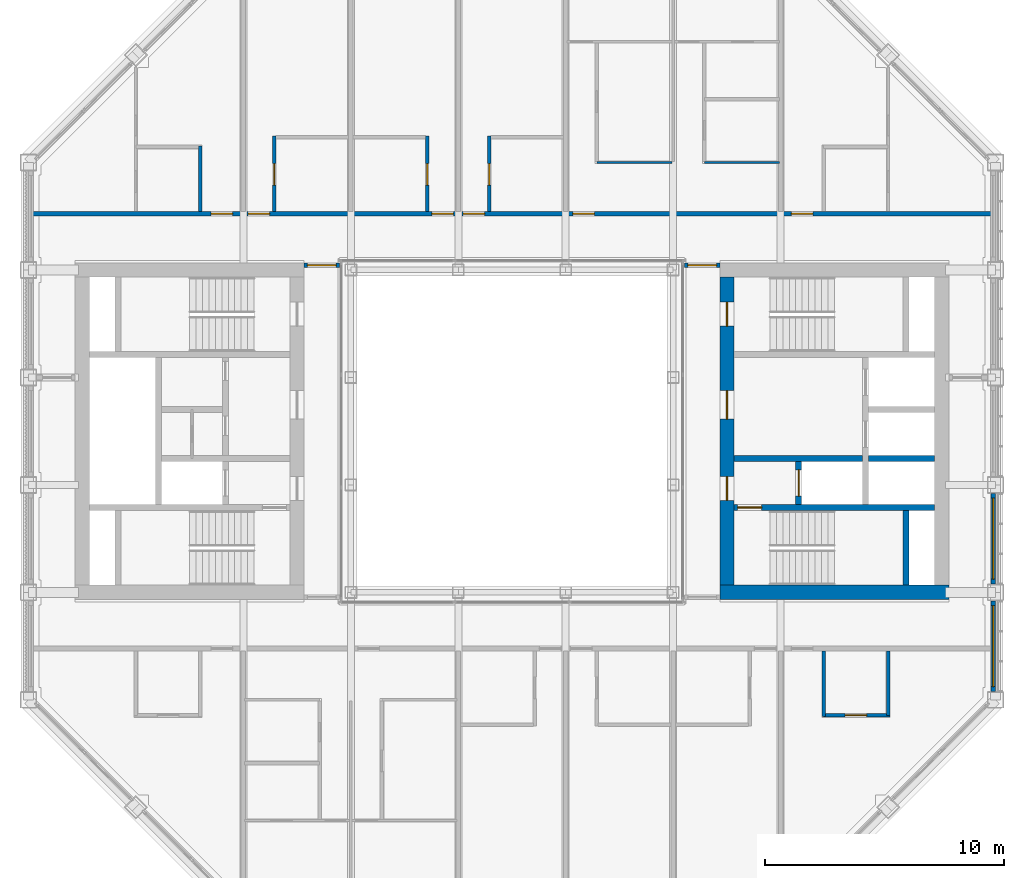
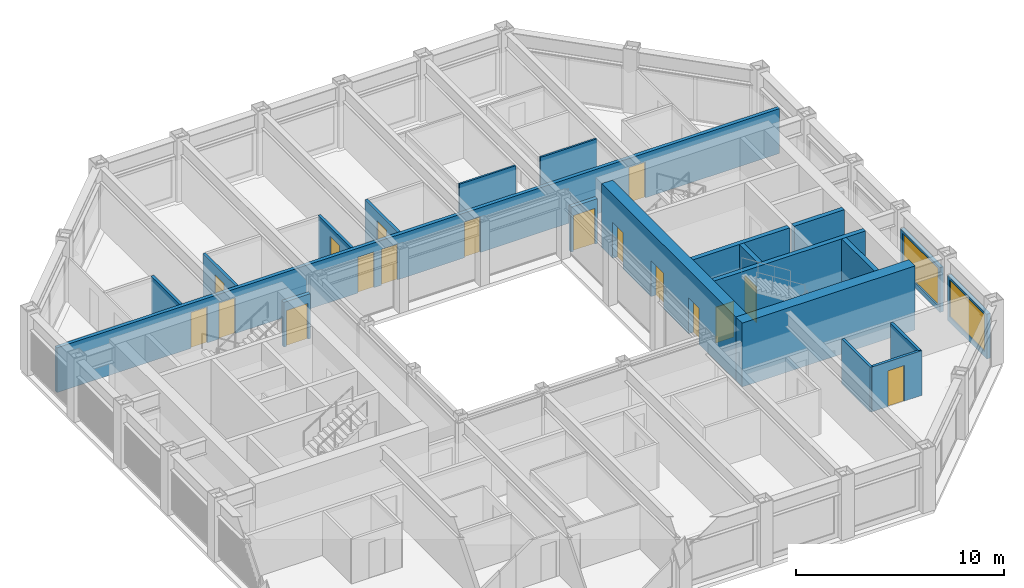
# One storey, part 11 of 18: 21 walls, 17 doors, 2 windows, 19 openings.
"""IFC4 building model written with IfcOpenShell, lengths in metres."""

from ifc_helpers import new_model, si_unit, direction, frame, frame_2d, origin, place, context, subcontext, project, spatial, rectangle, extrude, material, layer, layer_set, type_object, element, fill, save


model = new_model("IFC4")

# Units and contexts
model_context = context("Model", 3, precision=1e-05, world=origin(), true_north=direction((0.0, 1.0)))
body_context = subcontext(model_context, "Body", "Model", "MODEL_VIEW")
ifc_project = project(units=[si_unit("LENGTHUNIT", "METRE"), si_unit("AREAUNIT", "SQUARE_METRE"), si_unit("VOLUMEUNIT", "CUBIC_METRE"), si_unit("PLANEANGLEUNIT", "RADIAN"), si_unit("MASSUNIT", "GRAM", prefix="KILO")], contexts=[model_context])

# Site, building, storey
site_placement = place(None, origin())
site = spatial("IfcSite", under=ifc_project, at=site_placement, CompositionType="ELEMENT")
building_placement = place(site_placement, origin())
building = spatial("IfcBuilding", under=site, at=building_placement, Name="Msasa Ring Tower", CompositionType="ELEMENT")
storey_placement = place(building_placement, frame((0.0, 0.0, 223.300048828125)))
storey = spatial("IfcBuildingStorey", under=building, at=storey_placement, Name="L58", CompositionType="ELEMENT", Elevation=223.300048828125)

# Wall
ifc_material_1 = material(Name="Concrete C60/75", Category="concrete")
ifc_layer_1 = layer(ifc_material_1, 0.60009765625)
ifc_layer_set_1 = layer_set([ifc_layer_1], Name="CW3 CORE WALL 600")
wall_type_1 = type_object("IfcWallType", Name="CW3 CORE WALL 600", PredefinedType="SHEAR", material=ifc_layer_set_1)
wall_1_placement = place(storey_placement, frame((8.699951171875, -6.75, 0.0), z_axis=(0.0, 0.0, 1.0), x_axis=(1.0, 0.0, 0.0)))
element("IfcWall", 1, at=wall_1_placement, inside=storey, type_object=wall_type_1, Name="E core wall S L58", PredefinedType="SHEAR", context=body_context, shape_type="SweptSolid", body=[
    extrude(rectangle(XDim=9.60009765625, YDim=0.60009765625, at=frame_2d((4.800048828125, 0.0))), origin(), (0.0, 0.0, 1.0), 3.75),
])

# Wall, openings, doors
wall_2_placement = place(storey_placement, frame((9.0, -6.449951171875, 0.0), z_axis=(0.0, 0.0, 1.0), x_axis=(0.0, 1.0, 0.0)))
wall_2 = element("IfcWall", 2, at=wall_2_placement, inside=storey, type_object=wall_type_1, Name="E core wall W L58", PredefinedType="SHEAR", context=body_context, shape_type="SweptSolid", body=[
    extrude(rectangle(XDim=12.89990234375, YDim=0.60009765625, at=frame_2d((6.449951171875, 0.0))), origin(), (0.0, 0.0, 1.0), 3.75),
])
opening_1_placement = place(wall_2_placement, frame((3.550048828125, 0.0, 0.0)))
opening_1 = element("IfcOpeningElement", 3, at=opening_1_placement, cuts=wall_2, Name="Opening SC-031", PredefinedType="OPENING", context=body_context, shape_type="SweptSolid", body=[
    extrude(rectangle(XDim=1.0, YDim=2.10009765625, at=frame_2d((0.5, 1.050048828125))), frame((0.0, 0.31005859375, 0.0), z_axis=(0.0, -1.0, 0.0), x_axis=(1.0, 0.0, 0.0)), (0.0, 0.0, 1.0), 0.6201171875),
])
opening_2_placement = place(wall_2_placement, frame((6.949951171875, 0.0, 0.0)))
opening_2 = element("IfcOpeningElement", 4, at=opening_2_placement, cuts=wall_2, Name="Opening SC-027", PredefinedType="OPENING", context=body_context, shape_type="SweptSolid", body=[
    extrude(rectangle(XDim=1.199951171875, YDim=2.10009765625, at=frame_2d((0.60009765625, 1.050048828125))), frame((0.0, 0.31005859375, 0.0), z_axis=(0.0, -1.0, 0.0), x_axis=(1.0, 0.0, 0.0)), (0.0, 0.0, 1.0), 0.6201171875),
])
opening_3_placement = place(wall_2_placement, frame((10.85009765625, 0.0, 0.0)))
opening_3 = element("IfcOpeningElement", 5, at=opening_3_placement, cuts=wall_2, Name="Opening SC-022", PredefinedType="OPENING", context=body_context, shape_type="SweptSolid", body=[
    extrude(rectangle(XDim=1.0, YDim=2.10009765625, at=frame_2d((0.5, 1.050048828125))), frame((0.0, 0.31005859375, 0.0), z_axis=(0.0, -1.0, 0.0), x_axis=(1.0, 0.0, 0.0)), (0.0, 0.0, 1.0), 0.6201171875),
])
ifc_material_2 = material(Name="Timber door leaf in a steel frame", Category="steel")
door_type_1 = type_object("IfcDoorType", Name="D4 LOBBY DOOR 1000x2100", OperationType="SINGLE_SWING_LEFT", PredefinedType="DOOR", material=ifc_material_2)
door_1_placement = place(opening_1_placement, origin())
door_1 = element("IfcDoor", 6, at=door_1_placement, inside=storey, type_object=door_type_1, Name="Door L58-EFFL", OperationType="SINGLE_SWING_LEFT", OverallHeight=2.10009765625, OverallWidth=1.0, PredefinedType="DOOR", context=body_context, shape_type="SweptSolid", body=[
    extrude(rectangle(XDim=1.0, YDim=2.10009765625, at=frame_2d((0.5, 1.050048828125))), frame((0.0, 0.02490234375, 0.0), z_axis=(0.0, -1.0, 0.0), x_axis=(1.0, 0.0, 0.0)), (0.0, 0.0, 1.0), 0.050048828125),
])
fill(opening_1, door_1)
ifc_material_3 = material(Name="Timber door leaf in a steel frame", Category="steel")
door_type_2 = type_object("IfcDoorType", Name="D5 WIDE LOBBY DOOR 1200x2100", OperationType="SINGLE_SWING_LEFT", PredefinedType="DOOR", material=ifc_material_3)
door_2_placement = place(opening_2_placement, origin())
door_2 = element("IfcDoor", 7, at=door_2_placement, inside=storey, type_object=door_type_2, Name="Door L58-ELL", OperationType="SINGLE_SWING_RIGHT", OverallHeight=2.10009765625, OverallWidth=1.199951171875, PredefinedType="DOOR", context=body_context, shape_type="SweptSolid", body=[
    extrude(rectangle(XDim=1.199951171875, YDim=2.10009765625, at=frame_2d((0.60009765625, 1.050048828125))), frame((0.0, 0.02490234375, 0.0), z_axis=(0.0, -1.0, 0.0), x_axis=(1.0, 0.0, 0.0)), (0.0, 0.0, 1.0), 0.050048828125),
])
fill(opening_2, door_2)
ifc_material_4 = material(Name="Timber door leaf in a steel frame", Category="steel")
door_type_3 = type_object("IfcDoorType", Name="D6 STAIR DOOR 1000x2100", OperationType="SINGLE_SWING_LEFT", PredefinedType="DOOR", material=ifc_material_4)
door_3_placement = place(opening_3_placement, origin())
door_3 = element("IfcDoor", 8, at=door_3_placement, inside=storey, type_object=door_type_3, Name="Door L58-ESTB", OperationType="SINGLE_SWING_RIGHT", OverallHeight=2.10009765625, OverallWidth=1.0, PredefinedType="DOOR", context=body_context, shape_type="SweptSolid", body=[
    extrude(rectangle(XDim=1.0, YDim=2.10009765625, at=frame_2d((0.5, 1.050048828125))), frame((0.0, 0.02490234375, 0.0), z_axis=(0.0, -1.0, 0.0), x_axis=(1.0, 0.0, 0.0)), (0.0, 0.0, 1.0), 0.050048828125),
])
fill(opening_3, door_3)

# Wall, opening, door
ifc_material_5 = material(Name="Concrete C60/75", Category="concrete")
ifc_layer_2 = layer(ifc_material_5, 0.25)
ifc_layer_set_2 = layer_set([ifc_layer_2], Name="CW4 CORE INNER WALL 250")
wall_type_2 = type_object("IfcWallType", Name="CW4 CORE INNER WALL 250", PredefinedType="SHEAR", material=ifc_layer_set_2)
wall_3_placement = place(storey_placement, frame((9.300048828125, -3.199951171875, 0.0), z_axis=(0.0, 0.0, 1.0), x_axis=(1.0, 0.0, 0.0)))
wall_3 = element("IfcWall", 9, at=wall_3_placement, inside=storey, type_object=wall_type_2, Name="E core wall STAIRA L58", PredefinedType="SHEAR", context=body_context, shape_type="SweptSolid", body=[
    extrude(rectangle(XDim=8.39990234375, YDim=0.25, at=frame_2d((4.199951171875, 0.0))), origin(), (0.0, 0.0, 1.0), 3.75),
])
opening_4_placement = place(wall_3_placement, frame((0.14990234375, 0.0, 0.0)))
opening_4 = element("IfcOpeningElement", 10, at=opening_4_placement, cuts=wall_3, Name="Opening SC-033", PredefinedType="OPENING", context=body_context, shape_type="SweptSolid", body=[
    extrude(rectangle(XDim=1.0, YDim=2.10009765625, at=frame_2d((0.5, 1.050048828125))), frame((0.0, 0.135009765625, 0.0), z_axis=(0.0, -1.0, 0.0), x_axis=(1.0, 0.0, 0.0)), (0.0, 0.0, 1.0), 0.27001953125),
])
door_4_placement = place(opening_4_placement, origin())
door_4 = element("IfcDoor", 11, at=door_4_placement, inside=storey, type_object=door_type_3, Name="Door L58-ESTA", OperationType="SINGLE_SWING_LEFT", OverallHeight=2.10009765625, OverallWidth=1.0, PredefinedType="DOOR", context=body_context, shape_type="SweptSolid", body=[
    extrude(rectangle(XDim=1.0, YDim=2.10009765625, at=frame_2d((0.5, 1.050048828125))), frame((0.0, 0.02490234375, 0.0), z_axis=(0.0, -1.0, 0.0), x_axis=(1.0, 0.0, 0.0)), (0.0, 0.0, 1.0), 0.050048828125),
])
fill(opening_4, door_4)

# Walls
wall_4_placement = place(storey_placement, frame((16.5, -6.449951171875, 0.0), z_axis=(0.0, 0.0, 1.0), x_axis=(0.0, 1.0, 0.0)))
element("IfcWall", 12, at=wall_4_placement, inside=storey, type_object=wall_type_2, Name="E core wall RISERA L58", PredefinedType="SHEAR", context=body_context, shape_type="SweptSolid", body=[
    extrude(rectangle(XDim=3.125, YDim=0.25, at=frame_2d((1.5625, 0.0))), origin(), (0.0, 0.0, 1.0), 3.75),
])
wall_5_placement = place(storey_placement, frame((9.300048828125, -1.14990234375, 0.0), z_axis=(0.0, 0.0, 1.0), x_axis=(1.0, 0.0, 0.0)))
element("IfcWall", 13, at=wall_5_placement, inside=storey, type_object=wall_type_2, Name="E core wall FFL L58", PredefinedType="SHEAR", context=body_context, shape_type="SweptSolid", body=[
    extrude(rectangle(XDim=5.375, YDim=0.25, at=frame_2d((2.6875, 0.0))), origin(), (0.0, 0.0, 1.0), 3.75),
])

# Wall, opening, door
wall_6_placement = place(storey_placement, frame((12.0, -3.074951171875, 0.0), z_axis=(0.0, 0.0, 1.0), x_axis=(0.0, 1.0, 0.0)))
wall_6 = element("IfcWall", 14, at=wall_6_placement, inside=storey, type_object=wall_type_2, Name="E core wall LOBBY L58", PredefinedType="SHEAR", context=body_context, shape_type="SweptSolid", body=[
    extrude(rectangle(XDim=1.800048828125, YDim=0.25, at=frame_2d((0.89990234375, 0.0))), origin(), (0.0, 0.0, 1.0), 3.75),
])
opening_5_placement = place(wall_6_placement, frame((0.35009765625, 0.0, 0.0)))
opening_5 = element("IfcOpeningElement", 15, at=opening_5_placement, cuts=wall_6, Name="Opening LD1", PredefinedType="OPENING", context=body_context, shape_type="SweptSolid", body=[
    extrude(rectangle(XDim=1.10009765625, YDim=2.10009765625, at=frame_2d((0.550048828125, 1.050048828125))), frame((0.0, 0.135009765625, 0.0), z_axis=(0.0, -1.0, 0.0), x_axis=(1.0, 0.0, 0.0)), (0.0, 0.0, 1.0), 0.27001953125),
])
ifc_material_6 = material(Name="Stainless steel lift landing door", Category="steel")
door_type_4 = type_object("IfcDoorType", Name="LD1 LIFT LANDING DOOR 1100x2100", OperationType="DOUBLE_DOOR_SLIDING", PredefinedType="DOOR", material=ifc_material_6)
door_5_placement = place(opening_5_placement, origin())
door_5 = element("IfcDoor", 16, at=door_5_placement, inside=storey, type_object=door_type_4, Name="Lift landing door FL-E L58", OperationType="DOUBLE_DOOR_SLIDING", OverallHeight=2.10009765625, OverallWidth=1.10009765625, PredefinedType="DOOR", context=body_context, shape_type="SweptSolid", body=[
    extrude(rectangle(XDim=1.10009765625, YDim=2.10009765625, at=frame_2d((0.550048828125, 1.050048828125))), frame((0.0, 0.02490234375, 0.0), z_axis=(0.0, -1.0, 0.0), x_axis=(1.0, 0.0, 0.0)), (0.0, 0.0, 1.0), 0.050048828125),
])
fill(opening_5, door_5)

# Wall
wall_7_placement = place(storey_placement, frame((14.925048828125, -1.14990234375, 0.0), z_axis=(0.0, 0.0, 1.0), x_axis=(1.0, 0.0, 0.0)))
element("IfcWall", 17, at=wall_7_placement, inside=storey, type_object=wall_type_2, Name="E core wall HSEP L58", PredefinedType="SHEAR", context=body_context, shape_type="SweptSolid", body=[
    extrude(rectangle(XDim=2.77490234375, YDim=0.25, at=frame_2d((1.387451171875, 0.0))), origin(), (0.0, 0.0, 1.0), 3.75),
])

# Wall, opening, window
ifc_material_7 = material(Name="Terracotta rainscreen on blockwork", Category="masonry")
ifc_layer_3 = layer(ifc_material_7, 0.199951171875)
ifc_layer_set_3 = layer_set([ifc_layer_3], Name="FW1 TERRACOTTA-LINED INFILL BAY WALL 200")
wall_type_3 = type_object("IfcWallType", Name="FW1 TERRACOTTA-LINED INFILL BAY WALL 200", PredefinedType="SOLIDWALL", material=ifc_layer_set_3)
wall_8_placement = place(storey_placement, frame((20.14990234375, -10.89501953125, 0.0), z_axis=(0.0, 0.0, 1.0), x_axis=(0.0, 1.0, 0.0)))
wall_8 = element("IfcWall", 18, at=wall_8_placement, inside=storey, type_object=wall_type_3, Name="Infill bay wall E L58 07", PredefinedType="SOLIDWALL", context=body_context, shape_type="SweptSolid", body=[
    extrude(rectangle(XDim=3.7900390625, YDim=0.199951171875, at=frame_2d((1.89501953125, 0.0))), origin(), (0.0, 0.0, 1.0), 2.62890625),
])
opening_6_placement = place(wall_8_placement, frame((0.195068359375, 0.0, 0.300048828125)))
opening_6 = element("IfcOpeningElement", 19, at=opening_6_placement, cuts=wall_8, Name="Opening WN3", PredefinedType="OPENING", context=body_context, shape_type="SweptSolid", body=[
    extrude(rectangle(XDim=3.39990234375, YDim=2.178955078125, at=frame_2d((1.699951171875, 1.08935546875))), frame((0.0, 0.10986328125, 0.0), z_axis=(0.0, -1.0, 0.0), x_axis=(1.0, 0.0, 0.0)), (0.0, 0.0, 1.0), 0.219970703125),
])
ifc_material_8 = material(Name="Aluminium frame with clear glass", Category="aluminium")
window_type = type_object("IfcWindowType", Name="WN3 SUITE WINDOW 3400x2179", PartitioningType="SINGLE_PANEL", PredefinedType="WINDOW", material=ifc_material_8)
window_1_placement = place(opening_6_placement, origin())
window_1 = element("IfcWindow", 20, at=window_1_placement, inside=storey, type_object=window_type, Name="Window E L58 07", OverallHeight=2.178955078125, OverallWidth=3.39990234375, PartitioningType="SINGLE_PANEL", PredefinedType="WINDOW", context=body_context, shape_type="SweptSolid", body=[
    extrude(rectangle(XDim=3.39990234375, YDim=2.178955078125, at=frame_2d((1.699951171875, 1.08935546875))), frame((0.0, 0.030029296875, 0.0), z_axis=(0.0, -1.0, 0.0), x_axis=(1.0, 0.0, 0.0)), (0.0, 0.0, 1.0), 0.06005859375),
])
fill(opening_6, window_1)

wall_9_placement = place(storey_placement, frame((20.14990234375, -6.39501953125, 0.0), z_axis=(0.0, 0.0, 1.0), x_axis=(0.0, 1.0, 0.0)))
wall_9 = element("IfcWall", 21, at=wall_9_placement, inside=storey, type_object=wall_type_3, Name="Infill bay wall E L58 08", PredefinedType="SOLIDWALL", context=body_context, shape_type="SweptSolid", body=[
    extrude(rectangle(XDim=3.7900390625, YDim=0.199951171875, at=frame_2d((1.89501953125, 0.0))), origin(), (0.0, 0.0, 1.0), 2.62890625),
])
opening_7_placement = place(wall_9_placement, frame((0.195068359375, 0.0, 0.300048828125)))
opening_7 = element("IfcOpeningElement", 22, at=opening_7_placement, cuts=wall_9, Name="Opening WN3", PredefinedType="OPENING", context=body_context, shape_type="SweptSolid", body=[
    extrude(rectangle(XDim=3.39990234375, YDim=2.178955078125, at=frame_2d((1.699951171875, 1.08935546875))), frame((0.0, 0.10986328125, 0.0), z_axis=(0.0, -1.0, 0.0), x_axis=(1.0, 0.0, 0.0)), (0.0, 0.0, 1.0), 0.219970703125),
])
window_2_placement = place(opening_7_placement, origin())
window_2 = element("IfcWindow", 23, at=window_2_placement, inside=storey, type_object=window_type, Name="Window E L58 08", OverallHeight=2.178955078125, OverallWidth=3.39990234375, PartitioningType="SINGLE_PANEL", PredefinedType="WINDOW", context=body_context, shape_type="SweptSolid", body=[
    extrude(rectangle(XDim=3.39990234375, YDim=2.178955078125, at=frame_2d((1.699951171875, 1.08935546875))), frame((0.0, 0.030029296875, 0.0), z_axis=(0.0, -1.0, 0.0), x_axis=(1.0, 0.0, 0.0)), (0.0, 0.0, 1.0), 0.06005859375),
])
fill(opening_7, window_2)

# Wall, opening, door
ifc_material_9 = material(Name="Concrete blockwork", Category="masonry")
ifc_layer_4 = layer(ifc_material_9, 0.199951171875)
ifc_layer_set_4 = layer_set([ifc_layer_4], Name="PT1 CORRIDOR WALL 200")
wall_type_4 = type_object("IfcWallType", Name="PT1 CORRIDOR WALL 200", PredefinedType="PARTITIONING", material=ifc_layer_set_4)
wall_10_placement = place(storey_placement, frame((7.22998046875, 6.949951171875, 0.0), z_axis=(0.0, 0.0, 1.0), x_axis=(1.0, 0.0, 0.0)))
wall_10 = element("IfcWall", 24, at=wall_10_placement, inside=storey, type_object=wall_type_4, Name="Corridor wall L58-SDEN", PredefinedType="PARTITIONING", context=body_context, shape_type="SweptSolid", body=[
    extrude(rectangle(XDim=1.469970703125, YDim=0.199951171875, at=frame_2d((0.73486328125, 0.0))), origin(), (0.0, 0.0, 1.0), 2.62890625),
])
opening_8_placement = place(wall_10_placement, frame((0.135009765625, 0.0, 0.0)))
opening_8 = element("IfcOpeningElement", 25, at=opening_8_placement, cuts=wall_10, Name="Opening SC-020", PredefinedType="OPENING", context=body_context, shape_type="SweptSolid", body=[
    extrude(rectangle(XDim=1.199951171875, YDim=2.10009765625, at=frame_2d((0.60009765625, 1.050048828125))), frame((0.0, 0.10986328125, 0.0), z_axis=(0.0, -1.0, 0.0), x_axis=(1.0, 0.0, 0.0)), (0.0, 0.0, 1.0), 0.219970703125),
])
ifc_material_10 = material(Name="Timber door leaf in a steel frame", Category="steel")
door_type_5 = type_object("IfcDoorType", Name="D25 CORRIDOR PAIR OF SMOKE DOORS 1200x2100", OperationType="DOUBLE_DOOR_DOUBLE_SWING", PredefinedType="DOOR", material=ifc_material_10)
door_6_placement = place(opening_8_placement, origin())
door_6 = element("IfcDoor", 26, at=door_6_placement, inside=storey, type_object=door_type_5, Name="Door L58-SDEN", OperationType="DOUBLE_DOOR_DOUBLE_SWING", OverallHeight=2.10009765625, OverallWidth=1.199951171875, PredefinedType="DOOR", context=body_context, shape_type="SweptSolid", body=[
    extrude(rectangle(XDim=1.199951171875, YDim=2.10009765625, at=frame_2d((0.60009765625, 1.050048828125))), frame((0.0, 0.02490234375, 0.0), z_axis=(0.0, -1.0, 0.0), x_axis=(1.0, 0.0, 0.0)), (0.0, 0.0, 1.0), 0.050048828125),
])
fill(opening_8, door_6)

wall_11_placement = place(storey_placement, frame((-8.699951171875, 6.949951171875, 0.0), z_axis=(0.0, 0.0, 1.0), x_axis=(1.0, 0.0, 0.0)))
wall_11 = element("IfcWall", 27, at=wall_11_placement, inside=storey, type_object=wall_type_4, Name="Corridor wall L58-SDWN", PredefinedType="PARTITIONING", context=body_context, shape_type="SweptSolid", body=[
    extrude(rectangle(XDim=1.469970703125, YDim=0.199951171875, at=frame_2d((0.73486328125, 0.0))), origin(), (0.0, 0.0, 1.0), 2.62890625),
])
opening_9_placement = place(wall_11_placement, frame((0.135009765625, 0.0, 0.0)))
opening_9 = element("IfcOpeningElement", 28, at=opening_9_placement, cuts=wall_11, Name="Opening SC-019", PredefinedType="OPENING", context=body_context, shape_type="SweptSolid", body=[
    extrude(rectangle(XDim=1.199951171875, YDim=2.10009765625, at=frame_2d((0.60009765625, 1.050048828125))), frame((0.0, 0.10986328125, 0.0), z_axis=(0.0, -1.0, 0.0), x_axis=(1.0, 0.0, 0.0)), (0.0, 0.0, 1.0), 0.219970703125),
])
door_7_placement = place(opening_9_placement, origin())
door_7 = element("IfcDoor", 29, at=door_7_placement, inside=storey, type_object=door_type_5, Name="Door L58-SDWN", OperationType="DOUBLE_DOOR_DOUBLE_SWING", OverallHeight=2.10009765625, OverallWidth=1.199951171875, PredefinedType="DOOR", context=body_context, shape_type="SweptSolid", body=[
    extrude(rectangle(XDim=1.199951171875, YDim=2.10009765625, at=frame_2d((0.60009765625, 1.050048828125))), frame((0.0, 0.02490234375, 0.0), z_axis=(0.0, -1.0, 0.0), x_axis=(1.0, 0.0, 0.0)), (0.0, 0.0, 1.0), 0.050048828125),
])
fill(opening_9, door_7)

# Wall, openings, doors
wall_12_placement = place(storey_placement, frame((-20.050048828125, 9.10009765625, 0.0), z_axis=(0.0, 0.0, 1.0), x_axis=(1.0, 0.0, 0.0)))
wall_12 = element("IfcWall", 30, at=wall_12_placement, inside=storey, type_object=wall_type_4, Name="Corridor wall L58-CORRN0", PredefinedType="PARTITIONING", context=body_context, shape_type="SweptSolid", body=[
    extrude(rectangle(XDim=40.10009765625, YDim=0.199951171875, at=frame_2d((20.050048828125, 0.0))), origin(), (0.0, 0.0, 1.0), 2.62890625),
])
opening_10_placement = place(wall_12_placement, frame((9.0, 0.0, 0.0)))
opening_10 = element("IfcOpeningElement", 31, at=opening_10_placement, cuts=wall_12, Name="Opening SC-014", PredefinedType="OPENING", context=body_context, shape_type="SweptSolid", body=[
    extrude(rectangle(XDim=0.89990234375, YDim=2.10009765625, at=frame_2d((0.449951171875, 1.050048828125))), frame((0.0, 0.10986328125, 0.0), z_axis=(0.0, -1.0, 0.0), x_axis=(1.0, 0.0, 0.0)), (0.0, 0.0, 1.0), 0.219970703125),
])
opening_11_placement = place(wall_12_placement, frame((16.699951171875, 0.0, 0.0)))
opening_11 = element("IfcOpeningElement", 32, at=opening_11_placement, cuts=wall_12, Name="Opening SC-015", PredefinedType="OPENING", context=body_context, shape_type="SweptSolid", body=[
    extrude(rectangle(XDim=0.89990234375, YDim=2.10009765625, at=frame_2d((0.449951171875, 1.050048828125))), frame((0.0, 0.10986328125, 0.0), z_axis=(0.0, -1.0, 0.0), x_axis=(1.0, 0.0, 0.0)), (0.0, 0.0, 1.0), 0.219970703125),
])
opening_12_placement = place(wall_12_placement, frame((18.0, 0.0, 0.0)))
opening_12 = element("IfcOpeningElement", 33, at=opening_12_placement, cuts=wall_12, Name="Opening SC-016", PredefinedType="OPENING", context=body_context, shape_type="SweptSolid", body=[
    extrude(rectangle(XDim=0.89990234375, YDim=2.10009765625, at=frame_2d((0.449951171875, 1.050048828125))), frame((0.0, 0.10986328125, 0.0), z_axis=(0.0, -1.0, 0.0), x_axis=(1.0, 0.0, 0.0)), (0.0, 0.0, 1.0), 0.219970703125),
])
opening_13_placement = place(wall_12_placement, frame((22.60009765625, 0.0, 0.0)))
opening_13 = element("IfcOpeningElement", 34, at=opening_13_placement, cuts=wall_12, Name="Opening SC-017", PredefinedType="OPENING", context=body_context, shape_type="SweptSolid", body=[
    extrude(rectangle(XDim=0.89990234375, YDim=2.10009765625, at=frame_2d((0.449951171875, 1.050048828125))), frame((0.0, 0.10986328125, 0.0), z_axis=(0.0, -1.0, 0.0), x_axis=(1.0, 0.0, 0.0)), (0.0, 0.0, 1.0), 0.219970703125),
])
opening_14_placement = place(wall_12_placement, frame((31.75, 0.0, 0.0)))
opening_14 = element("IfcOpeningElement", 35, at=opening_14_placement, cuts=wall_12, Name="Opening SC-018", PredefinedType="OPENING", context=body_context, shape_type="SweptSolid", body=[
    extrude(rectangle(XDim=0.89990234375, YDim=2.10009765625, at=frame_2d((0.449951171875, 1.050048828125))), frame((0.0, 0.10986328125, 0.0), z_axis=(0.0, -1.0, 0.0), x_axis=(1.0, 0.0, 0.0)), (0.0, 0.0, 1.0), 0.219970703125),
])
opening_15_placement = place(wall_12_placement, frame((7.449951171875, 0.0, 0.0)))
opening_15 = element("IfcOpeningElement", 36, at=opening_15_placement, cuts=wall_12, Name="Opening SC-013", PredefinedType="OPENING", context=body_context, shape_type="SweptSolid", body=[
    extrude(rectangle(XDim=0.89990234375, YDim=2.10009765625, at=frame_2d((0.449951171875, 1.050048828125))), frame((0.0, 0.10986328125, 0.0), z_axis=(0.0, -1.0, 0.0), x_axis=(1.0, 0.0, 0.0)), (0.0, 0.0, 1.0), 0.219970703125),
])
ifc_material_11 = material(Name="Timber door leaf in a steel frame", Category="steel")
door_type_6 = type_object("IfcDoorType", Name="D1 SINGLE DOOR TO CORRIDOR 900x2100", OperationType="SINGLE_SWING_LEFT", PredefinedType="DOOR", material=ifc_material_11)
door_8_placement = place(opening_10_placement, origin())
door_8 = element("IfcDoor", 37, at=door_8_placement, inside=storey, type_object=door_type_6, Name="Door L58-JN00", OperationType="SINGLE_SWING_LEFT", OverallHeight=2.10009765625, OverallWidth=0.89990234375, PredefinedType="DOOR", context=body_context, shape_type="SweptSolid", body=[
    extrude(rectangle(XDim=0.89990234375, YDim=2.10009765625, at=frame_2d((0.449951171875, 1.050048828125))), frame((0.0, 0.02490234375, 0.0), z_axis=(0.0, -1.0, 0.0), x_axis=(1.0, 0.0, 0.0)), (0.0, 0.0, 1.0), 0.050048828125),
])
fill(opening_10, door_8)
door_9_placement = place(opening_11_placement, origin())
door_9 = element("IfcDoor", 38, at=door_9_placement, inside=storey, type_object=door_type_6, Name="Door L58-JN01", OperationType="SINGLE_SWING_LEFT", OverallHeight=2.10009765625, OverallWidth=0.89990234375, PredefinedType="DOOR", context=body_context, shape_type="SweptSolid", body=[
    extrude(rectangle(XDim=0.89990234375, YDim=2.10009765625, at=frame_2d((0.449951171875, 1.050048828125))), frame((0.0, 0.02490234375, 0.0), z_axis=(0.0, -1.0, 0.0), x_axis=(1.0, 0.0, 0.0)), (0.0, 0.0, 1.0), 0.050048828125),
])
fill(opening_11, door_9)
door_10_placement = place(opening_12_placement, origin())
door_10 = element("IfcDoor", 39, at=door_10_placement, inside=storey, type_object=door_type_6, Name="Door L58-JN02", OperationType="SINGLE_SWING_LEFT", OverallHeight=2.10009765625, OverallWidth=0.89990234375, PredefinedType="DOOR", context=body_context, shape_type="SweptSolid", body=[
    extrude(rectangle(XDim=0.89990234375, YDim=2.10009765625, at=frame_2d((0.449951171875, 1.050048828125))), frame((0.0, 0.02490234375, 0.0), z_axis=(0.0, -1.0, 0.0), x_axis=(1.0, 0.0, 0.0)), (0.0, 0.0, 1.0), 0.050048828125),
])
fill(opening_12, door_10)
ifc_material_12 = material(Name="Timber door leaf in a steel frame", Category="steel")
door_type_7 = type_object("IfcDoorType", Name="D2 ENTRANCE DOOR 900x2100", OperationType="SINGLE_SWING_LEFT", PredefinedType="DOOR", material=ifc_material_12)
door_11_placement = place(opening_13_placement, origin())
door_11 = element("IfcDoor", 40, at=door_11_placement, inside=storey, type_object=door_type_7, Name="Door L58-JN03", OperationType="SINGLE_SWING_RIGHT", OverallHeight=2.10009765625, OverallWidth=0.89990234375, PredefinedType="DOOR", context=body_context, shape_type="SweptSolid", body=[
    extrude(rectangle(XDim=0.89990234375, YDim=2.10009765625, at=frame_2d((0.449951171875, 1.050048828125))), frame((0.0, 0.02490234375, 0.0), z_axis=(0.0, -1.0, 0.0), x_axis=(1.0, 0.0, 0.0)), (0.0, 0.0, 1.0), 0.050048828125),
])
fill(opening_13, door_11)
door_12_placement = place(opening_14_placement, origin())
door_12 = element("IfcDoor", 41, at=door_12_placement, inside=storey, type_object=door_type_7, Name="Door L58-CSNE", OperationType="SINGLE_SWING_RIGHT", OverallHeight=2.10009765625, OverallWidth=0.89990234375, PredefinedType="DOOR", context=body_context, shape_type="SweptSolid", body=[
    extrude(rectangle(XDim=0.89990234375, YDim=2.10009765625, at=frame_2d((0.449951171875, 1.050048828125))), frame((0.0, 0.02490234375, 0.0), z_axis=(0.0, -1.0, 0.0), x_axis=(1.0, 0.0, 0.0)), (0.0, 0.0, 1.0), 0.050048828125),
])
fill(opening_14, door_12)
door_13_placement = place(opening_15_placement, origin())
door_13 = element("IfcDoor", 42, at=door_13_placement, inside=storey, type_object=door_type_7, Name="Door L58-CSNW", OperationType="SINGLE_SWING_LEFT", OverallHeight=2.10009765625, OverallWidth=0.89990234375, PredefinedType="DOOR", context=body_context, shape_type="SweptSolid", body=[
    extrude(rectangle(XDim=0.89990234375, YDim=2.10009765625, at=frame_2d((0.449951171875, 1.050048828125))), frame((0.0, 0.02490234375, 0.0), z_axis=(0.0, -1.0, 0.0), x_axis=(1.0, 0.0, 0.0)), (0.0, 0.0, 1.0), 0.050048828125),
])
fill(opening_15, door_13)

# Walls
ifc_material_13 = material(Name="Gypsum board on steel studs", Category="steel")
ifc_layer_5 = layer(ifc_material_13, 0.10009765625)
ifc_layer_set_5 = layer_set([ifc_layer_5], Name="PT2 STUD PARTITION 100")
wall_type_5 = type_object("IfcWallType", Name="PT2 STUD PARTITION 100", PredefinedType="PARTITIONING", material=ifc_layer_set_5)
for number, where, z_axis, x_axis, name in (
    (43, (3.550048828125, 11.25, 0.0), (0.0, 0.0, 1.0), (1.0, 0.0, 0.0), "Partition L58-JN03HY0"),
    (44, (8.050048828125, 11.25, 0.0), (0.0, 0.0, 1.0), (1.0, 0.0, 0.0), "Partition L58-JN03HY1"),
):
    element("IfcWall", number, at=place(storey_placement, frame(where, z_axis=z_axis, x_axis=x_axis)), inside=storey, type_object=wall_type_5, Name=name, PredefinedType="PARTITIONING", context=body_context, shape_type="SweptSolid", body=[
        extrude(rectangle(XDim=3.139892578125, YDim=0.10009765625, at=frame_2d((1.56982421875, 0.0))), origin(), (0.0, 0.0, 1.0), 2.62890625),
    ])

# Wall, opening, door
ifc_material_14 = material(Name="Moisture-resistant board on steel studs with a concealed cistern and pipe void, tiled", Category="steel")
ifc_layer_6 = layer(ifc_material_14, 0.14990234375)
ifc_layer_set_6 = layer_set([ifc_layer_6], Name="PT4 BATHROOM WET WALL 150")
wall_type_6 = type_object("IfcWallType", Name="PT4 BATHROOM WET WALL 150", PredefinedType="PARTITIONING", material=ifc_layer_set_6)
wall_13_placement = place(storey_placement, frame((-9.949951171875, 9.199951171875, 0.0), z_axis=(0.0, 0.0, 1.0), x_axis=(0.0, 1.0, 0.0)))
wall_13 = element("IfcWall", 45, at=wall_13_placement, inside=storey, type_object=wall_type_6, Name="Partition L58-JN00BX", PredefinedType="PARTITIONING", context=body_context, shape_type="SweptSolid", body=[
    extrude(rectangle(XDim=3.150146484375, YDim=0.14990234375, at=frame_2d((1.5751953125, 0.0))), origin(), (0.0, 0.0, 1.0), 2.62890625),
])
opening_16_placement = place(wall_13_placement, frame((1.10009765625, 0.0, 0.0)))
opening_16 = element("IfcOpeningElement", 46, at=opening_16_placement, cuts=wall_13, Name="Opening SC-008", PredefinedType="OPENING", context=body_context, shape_type="SweptSolid", body=[
    extrude(rectangle(XDim=0.89990234375, YDim=2.10009765625, at=frame_2d((0.449951171875, 1.050048828125))), frame((0.0, 0.0849609375, 0.0), z_axis=(0.0, -1.0, 0.0), x_axis=(1.0, 0.0, 0.0)), (0.0, 0.0, 1.0), 0.169921875),
])
ifc_material_15 = material(Name="Timber door leaf in a steel frame", Category="steel")
door_type_8 = type_object("IfcDoorType", Name="D3 BATHROOM DOOR 900x2100", OperationType="SINGLE_SWING_LEFT", PredefinedType="DOOR", material=ifc_material_15)
door_14_placement = place(opening_16_placement, origin())
door_14 = element("IfcDoor", 47, at=door_14_placement, inside=storey, type_object=door_type_8, Name="Door L58-JN00B", OperationType="SINGLE_SWING_LEFT", OverallHeight=2.10009765625, OverallWidth=0.89990234375, PredefinedType="DOOR", context=body_context, shape_type="SweptSolid", body=[
    extrude(rectangle(XDim=0.89990234375, YDim=2.10009765625, at=frame_2d((0.449951171875, 1.050048828125))), frame((0.0, 0.02490234375, 0.0), z_axis=(0.0, -1.0, 0.0), x_axis=(1.0, 0.0, 0.0)), (0.0, 0.0, 1.0), 0.050048828125),
])
fill(opening_16, door_14)

wall_14_placement = place(storey_placement, frame((-3.550048828125, 9.199951171875, 0.0), z_axis=(0.0, 0.0, 1.0), x_axis=(0.0, 1.0, 0.0)))
wall_14 = element("IfcWall", 48, at=wall_14_placement, inside=storey, type_object=wall_type_6, Name="Partition L58-JN01BX", PredefinedType="PARTITIONING", context=body_context, shape_type="SweptSolid", body=[
    extrude(rectangle(XDim=3.150146484375, YDim=0.14990234375, at=frame_2d((1.5751953125, 0.0))), origin(), (0.0, 0.0, 1.0), 2.62890625),
])
opening_17_placement = place(wall_14_placement, frame((1.10009765625, 0.0, 0.0)))
opening_17 = element("IfcOpeningElement", 49, at=opening_17_placement, cuts=wall_14, Name="Opening SC-009", PredefinedType="OPENING", context=body_context, shape_type="SweptSolid", body=[
    extrude(rectangle(XDim=0.89990234375, YDim=2.10009765625, at=frame_2d((0.449951171875, 1.050048828125))), frame((0.0, 0.0849609375, 0.0), z_axis=(0.0, -1.0, 0.0), x_axis=(1.0, 0.0, 0.0)), (0.0, 0.0, 1.0), 0.169921875),
])
door_15_placement = place(opening_17_placement, origin())
door_15 = element("IfcDoor", 50, at=door_15_placement, inside=storey, type_object=door_type_8, Name="Door L58-JN01B", OperationType="SINGLE_SWING_LEFT", OverallHeight=2.10009765625, OverallWidth=0.89990234375, PredefinedType="DOOR", context=body_context, shape_type="SweptSolid", body=[
    extrude(rectangle(XDim=0.89990234375, YDim=2.10009765625, at=frame_2d((0.449951171875, 1.050048828125))), frame((0.0, 0.02490234375, 0.0), z_axis=(0.0, -1.0, 0.0), x_axis=(1.0, 0.0, 0.0)), (0.0, 0.0, 1.0), 0.050048828125),
])
fill(opening_17, door_15)

wall_15_placement = place(storey_placement, frame((-0.949951171875, 9.199951171875, 0.0), z_axis=(0.0, 0.0, 1.0), x_axis=(0.0, 1.0, 0.0)))
wall_15 = element("IfcWall", 51, at=wall_15_placement, inside=storey, type_object=wall_type_6, Name="Partition L58-JN02BX", PredefinedType="PARTITIONING", context=body_context, shape_type="SweptSolid", body=[
    extrude(rectangle(XDim=3.150146484375, YDim=0.14990234375, at=frame_2d((1.5751953125, 0.0))), origin(), (0.0, 0.0, 1.0), 2.62890625),
])
opening_18_placement = place(wall_15_placement, frame((1.10009765625, 0.0, 0.0)))
opening_18 = element("IfcOpeningElement", 52, at=opening_18_placement, cuts=wall_15, Name="Opening SC-010", PredefinedType="OPENING", context=body_context, shape_type="SweptSolid", body=[
    extrude(rectangle(XDim=0.89990234375, YDim=2.10009765625, at=frame_2d((0.449951171875, 1.050048828125))), frame((0.0, 0.0849609375, 0.0), z_axis=(0.0, -1.0, 0.0), x_axis=(1.0, 0.0, 0.0)), (0.0, 0.0, 1.0), 0.169921875),
])
door_16_placement = place(opening_18_placement, origin())
door_16 = element("IfcDoor", 53, at=door_16_placement, inside=storey, type_object=door_type_8, Name="Door L58-JN02B", OperationType="SINGLE_SWING_LEFT", OverallHeight=2.10009765625, OverallWidth=0.89990234375, PredefinedType="DOOR", context=body_context, shape_type="SweptSolid", body=[
    extrude(rectangle(XDim=0.89990234375, YDim=2.10009765625, at=frame_2d((0.449951171875, 1.050048828125))), frame((0.0, 0.02490234375, 0.0), z_axis=(0.0, -1.0, 0.0), x_axis=(1.0, 0.0, 0.0)), (0.0, 0.0, 1.0), 0.050048828125),
])
fill(opening_18, door_16)

# Walls
for number, where, z_axis, x_axis, name in (
    (54, (-13.050048828125, 9.199951171875, 0.0), (0.0, 0.0, 1.0), (0.0, 1.0, 0.0), "Partition L58-CSNWBX"),
    (55, (13.050048828125, -11.949951171875, 0.0), (0.0, 0.0, 1.0), (0.0, 1.0, 0.0), "Partition L58-CSSEBX"),
):
    element("IfcWall", number, at=place(storey_placement, frame(where, z_axis=z_axis, x_axis=x_axis)), inside=storey, type_object=wall_type_6, Name=name, PredefinedType="PARTITIONING", context=body_context, shape_type="SweptSolid", body=[
        extrude(rectangle(XDim=2.75, YDim=0.14990234375, at=frame_2d((1.375, 0.0))), origin(), (0.0, 0.0, 1.0), 2.62890625),
    ])

# Wall, opening, door
wall_16_placement = place(storey_placement, frame((13.050048828125, -11.89990234375, 0.0), z_axis=(0.0, 0.0, 1.0), x_axis=(1.0, 0.0, 0.0)))
wall_16 = element("IfcWall", 56, at=wall_16_placement, inside=storey, type_object=wall_type_6, Name="Partition L58-CSSEBY", PredefinedType="PARTITIONING", context=body_context, shape_type="SweptSolid", body=[
    extrude(rectangle(XDim=2.77490234375, YDim=0.14990234375, at=frame_2d((1.387451171875, 0.0))), origin(), (0.0, 0.0, 1.0), 2.62890625),
])
opening_19_placement = place(wall_16_placement, frame((0.89990234375, 0.0, 0.0)))
opening_19 = element("IfcOpeningElement", 57, at=opening_19_placement, cuts=wall_16, Name="Opening SC-046", PredefinedType="OPENING", context=body_context, shape_type="SweptSolid", body=[
    extrude(rectangle(XDim=0.89990234375, YDim=2.10009765625, at=frame_2d((0.449951171875, 1.050048828125))), frame((0.0, 0.0849609375, 0.0), z_axis=(0.0, -1.0, 0.0), x_axis=(1.0, 0.0, 0.0)), (0.0, 0.0, 1.0), 0.169921875),
])
door_17_placement = place(opening_19_placement, origin())
door_17 = element("IfcDoor", 58, at=door_17_placement, inside=storey, type_object=door_type_8, Name="Door L58-CSSEB1", OperationType="SINGLE_SWING_LEFT", OverallHeight=2.10009765625, OverallWidth=0.89990234375, PredefinedType="DOOR", context=body_context, shape_type="SweptSolid", body=[
    extrude(rectangle(XDim=0.89990234375, YDim=2.10009765625, at=frame_2d((0.449951171875, 1.050048828125))), frame((0.0, 0.02490234375, 0.0), z_axis=(0.0, -1.0, 0.0), x_axis=(1.0, 0.0, 0.0)), (0.0, 0.0, 1.0), 0.050048828125),
])
fill(opening_19, door_17)

# Wall
wall_17_placement = place(storey_placement, frame((15.75, -11.89990234375, 0.0), z_axis=(0.0, 0.0, 1.0), x_axis=(0.0, 1.0, 0.0)))
element("IfcWall", 59, at=wall_17_placement, inside=storey, type_object=wall_type_6, Name="Partition L58-CSSEBE", PredefinedType="PARTITIONING", context=body_context, shape_type="SweptSolid", body=[
    extrude(rectangle(XDim=2.699951171875, YDim=0.14990234375, at=frame_2d((1.35009765625, 0.0))), origin(), (0.0, 0.0, 1.0), 2.62890625),
])

save(model, "model.ifc")
